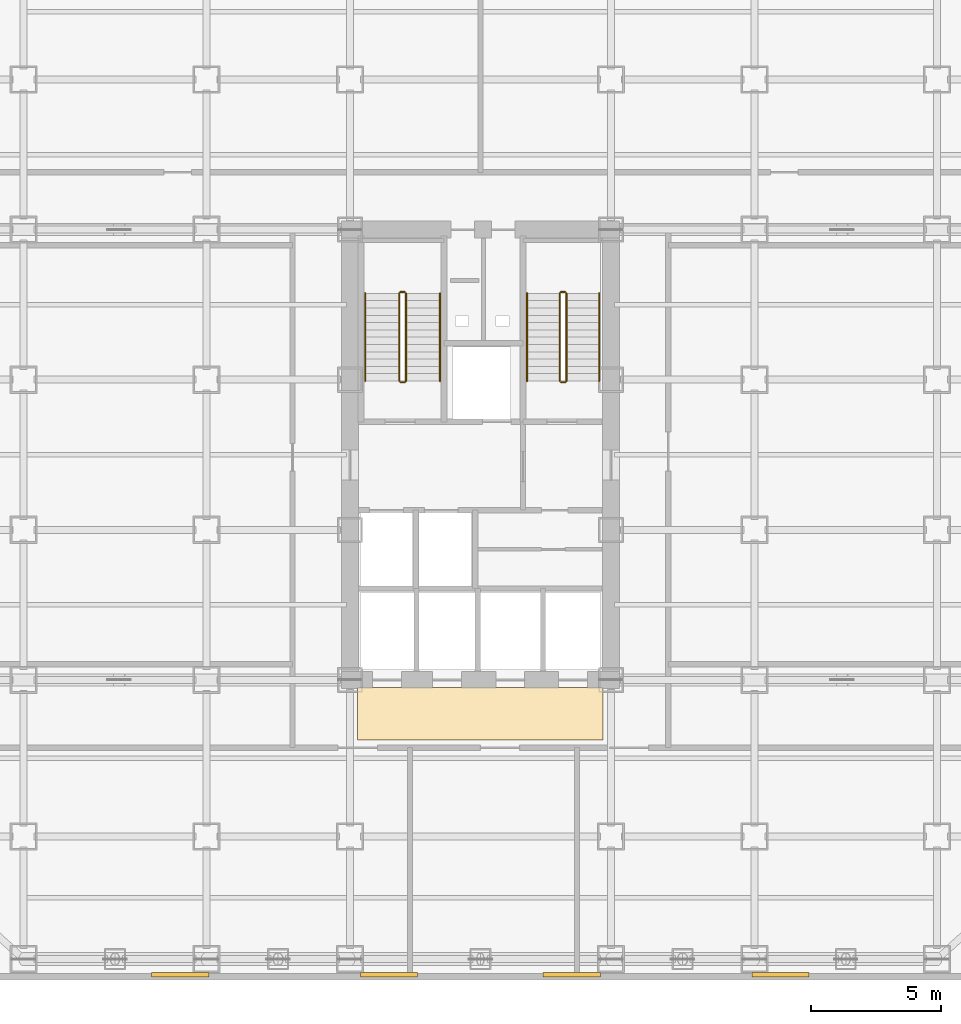
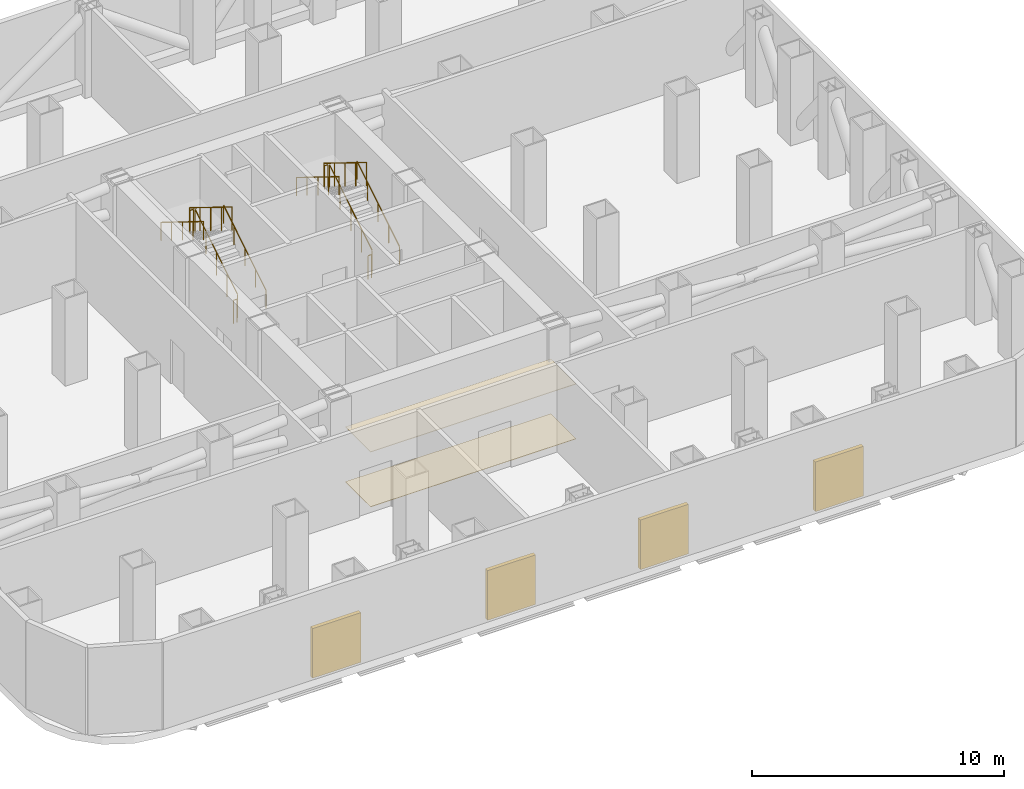
# One storey, part 10 of 10: 12 railings, 4 shading devices, 2 coverings.
"""IFC4 building model written with IfcOpenShell, lengths in metres."""

from ifc_helpers import new_model, si_unit, direction, frame, origin, origin_2d, place, context, subcontext, project, spatial, polyline, rectangle, circle, outline, extrude, source, transform, mapped, material, layer, layer_set, type_object, element, save


model = new_model("IFC4")

# Units and contexts
model_context = context("Model", 3, precision=1e-05, world=origin(), true_north=direction((0.0, 1.0)))
body_context = subcontext(model_context, "Body", "Model", "MODEL_VIEW")
ifc_project = project(units=[si_unit("LENGTHUNIT", "METRE"), si_unit("AREAUNIT", "SQUARE_METRE"), si_unit("VOLUMEUNIT", "CUBIC_METRE"), si_unit("PLANEANGLEUNIT", "RADIAN"), si_unit("MASSUNIT", "GRAM", prefix="KILO")], contexts=[model_context])

# Site, building, storey
site_placement = place(None, origin())
site = spatial("IfcSite", under=ifc_project, at=site_placement, CompositionType="ELEMENT")
building_placement = place(site_placement, origin())
building = spatial("IfcBuilding", under=site, at=building_placement, Name="Kolveth Station Tower", CompositionType="ELEMENT")
storey_placement = place(building_placement, frame((0.0, 0.0, 76.5)))
storey = spatial("IfcBuildingStorey", under=building, at=storey_placement, Name="L20", CompositionType="ELEMENT", Elevation=76.5)

# Coverings
ifc_material_1 = material(Name="Acoustic mineral-fibre ceiling tile")
ifc_layer_1 = layer(ifc_material_1, 0.02490234375)
ifc_layer_set_1 = layer_set([ifc_layer_1], Name="Acoustic mineral-fibre ceiling tile")
covering_type_1 = type_object("IfcCoveringType", Name="Ceil_CL1", PredefinedType="CEILING", material=ifc_layer_set_1)
covering_1_placement = place(storey_placement, frame((0.0, 0.0, 2.64990234375)))
element("IfcCovering", 1, at=covering_1_placement, inside=storey, type_object=covering_type_1, Name="L20 Lift Lobby Suspended Ceiling", PredefinedType="CEILING", context=body_context, shape_type="SweptSolid", body=[
    extrude(outline(polyline([(18.800048828125, 9.199951171875), (28.199951171875, 9.199951171875), (28.199951171875, 11.199951171875), (18.800048828125, 11.199951171875), (18.800048828125, 9.199951171875)])), origin(), (0.0, 0.0, 1.0), 0.025146484375),
])
ifc_material_2 = material(Name="Honed terrazzo flooring")
ifc_layer_2 = layer(ifc_material_2, 0.02001953125)
ifc_layer_set_2 = layer_set([ifc_layer_2], Name="Honed terrazzo flooring")
covering_type_2 = type_object("IfcCoveringType", Name="Floor_FL1", PredefinedType="FLOORING", material=ifc_layer_set_2)
covering_2_placement = place(storey_placement, origin())
element("IfcCovering", 2, at=covering_2_placement, inside=storey, type_object=covering_type_2, Name="L20 Lift Lobby Floor Finish", PredefinedType="FLOORING", context=body_context, shape_type="SweptSolid", body=[
    extrude(outline(polyline([(18.800048828125, 9.199951171875), (28.199951171875, 9.199951171875), (28.199951171875, 11.199951171875), (18.800048828125, 11.199951171875), (18.800048828125, 9.199951171875)])), origin(), (0.0, 0.0, 1.0), 0.02001953125),
])

# Railings
ifc_material_3 = material(Name="Painted Steel S355 balustrade", Category="steel")
railing_type_1 = type_object("IfcRailingType", Name="Guard_GR2", PredefinedType="BALUSTRADE", material=ifc_material_3)
railing_1_placement = place(storey_placement, frame((20.64990234375, 22.949951171875, 0.173095703125)))
element("IfcRailing", 3, at=railing_1_placement, inside=storey, type_object=railing_type_1, Name="L20 ST1 stair guard 1", PredefinedType="BALUSTRADE", context=body_context, shape_type="SweptSolid", body=[
    extrude(circle(Radius=0.02392578125, at=origin_2d()), frame((0.0, 0.0, 1.1259765625), z_axis=(0.0, 0.850623216509, 0.525775754039), x_axis=(-1.0, 0.0, 0.0)), (0.0, 0.0, 1.0), 3.9501953125),
    extrude(circle(Radius=0.02099609375, at=origin_2d()), origin(), (0.0, 0.0, 1.0), 1.101806640625),
    extrude(circle(Radius=0.02099609375, at=origin_2d()), frame((0.0, 0.840087890625, 0.519287109375)), (0.0, 0.0, 1.0), 1.101806640625),
    extrude(circle(Radius=0.02099609375, at=origin_2d()), frame((0.0, 1.68017578125, 1.03857421875)), (0.0, 0.0, 1.0), 1.101806640625),
    extrude(circle(Radius=0.02099609375, at=origin_2d()), frame((0.0, 2.52001953125, 1.5576171875)), (0.0, 0.0, 1.0), 1.101806640625),
    extrude(circle(Radius=0.02099609375, at=origin_2d()), frame((0.0, 3.360107421875, 2.076904296875)), (0.0, 0.0, 1.0), 1.101806640625),
])
railing_2_placement = place(storey_placement, frame((20.60009765625, 26.360107421875, 2.25)))
element("IfcRailing", 4, at=railing_2_placement, inside=storey, type_object=railing_type_1, Name="L20 ST1 stair guard 2", PredefinedType="BALUSTRADE", context=body_context, shape_type="SweptSolid", body=[
    extrude(circle(Radius=0.02392578125, at=origin_2d()), frame((0.0, 0.0, 1.1259765625), z_axis=(-1.0, 0.0, 0.0), x_axis=(0.0, -1.0, 0.0)), (0.0, 0.0, 1.0), 0.16015625),
    extrude(circle(Radius=0.02099609375, at=origin_2d()), origin(), (0.0, 0.0, 1.0), 1.101806640625),
    extrude(circle(Radius=0.02099609375, at=origin_2d()), frame((-0.16015625, 0.0, 0.0)), (0.0, 0.0, 1.0), 1.101806640625),
])
railing_3_placement = place(storey_placement, frame((20.389892578125, 26.31005859375, 2.423095703125)))
element("IfcRailing", 5, at=railing_3_placement, inside=storey, type_object=railing_type_1, Name="L20 ST1 stair guard 3", PredefinedType="BALUSTRADE", context=body_context, shape_type="SweptSolid", body=[
    extrude(circle(Radius=0.02392578125, at=origin_2d()), frame((0.0, 0.0, 1.1259765625), z_axis=(0.0, -0.850623216509, 0.525775754039), x_axis=(1.0, 0.0, 0.0)), (0.0, 0.0, 1.0), 3.9501953125),
    extrude(circle(Radius=0.02099609375, at=origin_2d()), origin(), (0.0, 0.0, 1.0), 1.101806640625),
    extrude(circle(Radius=0.02099609375, at=origin_2d()), frame((0.0, -0.840087890625, 0.519287109375)), (0.0, 0.0, 1.0), 1.101806640625),
    extrude(circle(Radius=0.02099609375, at=origin_2d()), frame((0.0, -1.68017578125, 1.03857421875)), (0.0, 0.0, 1.0), 1.101806640625),
    extrude(circle(Radius=0.02099609375, at=origin_2d()), frame((0.0, -2.52001953125, 1.5576171875)), (0.0, 0.0, 1.0), 1.101806640625),
    extrude(circle(Radius=0.02099609375, at=origin_2d()), frame((0.0, -3.360107421875, 2.076904296875)), (0.0, 0.0, 1.0), 1.101806640625),
])
railing_4_placement = place(storey_placement, frame((20.60009765625, 22.89990234375, 0.0)))
element("IfcRailing", 6, at=railing_4_placement, inside=storey, type_object=railing_type_1, Name="L20 ST1 stair guard 4", PredefinedType="BALUSTRADE", context=body_context, shape_type="SweptSolid", body=[
    extrude(circle(Radius=0.02392578125, at=origin_2d()), frame((0.0, 0.0, 1.1259765625), z_axis=(-1.0, 0.0, 0.0), x_axis=(0.0, -1.0, 0.0)), (0.0, 0.0, 1.0), 0.16015625),
    extrude(circle(Radius=0.02099609375, at=origin_2d()), origin(), (0.0, 0.0, 1.0), 1.101806640625),
    extrude(circle(Radius=0.02099609375, at=origin_2d()), frame((-0.16015625, 0.0, 0.0)), (0.0, 0.0, 1.0), 1.101806640625),
])
railing_5_placement = place(storey_placement, frame((26.800048828125, 22.949951171875, 0.173095703125)))
element("IfcRailing", 7, at=railing_5_placement, inside=storey, type_object=railing_type_1, Name="L20 ST2 stair guard 1", PredefinedType="BALUSTRADE", context=body_context, shape_type="SweptSolid", body=[
    extrude(circle(Radius=0.02392578125, at=origin_2d()), frame((0.0, 0.0, 1.1259765625), z_axis=(0.0, 0.850623216509, 0.525775754039), x_axis=(-1.0, 0.0, 0.0)), (0.0, 0.0, 1.0), 3.9501953125),
    extrude(circle(Radius=0.02099609375, at=origin_2d()), origin(), (0.0, 0.0, 1.0), 1.101806640625),
    extrude(circle(Radius=0.02099609375, at=origin_2d()), frame((0.0, 0.840087890625, 0.519287109375)), (0.0, 0.0, 1.0), 1.101806640625),
    extrude(circle(Radius=0.02099609375, at=origin_2d()), frame((0.0, 1.68017578125, 1.03857421875)), (0.0, 0.0, 1.0), 1.101806640625),
    extrude(circle(Radius=0.02099609375, at=origin_2d()), frame((0.0, 2.52001953125, 1.5576171875)), (0.0, 0.0, 1.0), 1.101806640625),
    extrude(circle(Radius=0.02099609375, at=origin_2d()), frame((0.0, 3.360107421875, 2.076904296875)), (0.0, 0.0, 1.0), 1.101806640625),
])
railing_6_placement = place(storey_placement, frame((26.75, 26.360107421875, 2.25)))
element("IfcRailing", 8, at=railing_6_placement, inside=storey, type_object=railing_type_1, Name="L20 ST2 stair guard 2", PredefinedType="BALUSTRADE", context=body_context, shape_type="SweptSolid", body=[
    extrude(circle(Radius=0.02392578125, at=origin_2d()), frame((0.0, 0.0, 1.1259765625), z_axis=(-1.0, 0.0, 0.0), x_axis=(0.0, -1.0, 0.0)), (0.0, 0.0, 1.0), 0.159912109375),
    extrude(circle(Radius=0.02099609375, at=origin_2d()), origin(), (0.0, 0.0, 1.0), 1.101806640625),
    extrude(circle(Radius=0.02099609375, at=origin_2d()), frame((-0.159912109375, 0.0, 0.0)), (0.0, 0.0, 1.0), 1.101806640625),
])
railing_7_placement = place(storey_placement, frame((26.5400390625, 26.31005859375, 2.423095703125)))
element("IfcRailing", 9, at=railing_7_placement, inside=storey, type_object=railing_type_1, Name="L20 ST2 stair guard 3", PredefinedType="BALUSTRADE", context=body_context, shape_type="SweptSolid", body=[
    extrude(circle(Radius=0.02392578125, at=origin_2d()), frame((0.0, 0.0, 1.1259765625), z_axis=(0.0, -0.850623216509, 0.525775754039), x_axis=(1.0, 0.0, 0.0)), (0.0, 0.0, 1.0), 3.9501953125),
    extrude(circle(Radius=0.02099609375, at=origin_2d()), origin(), (0.0, 0.0, 1.0), 1.101806640625),
    extrude(circle(Radius=0.02099609375, at=origin_2d()), frame((0.0, -0.840087890625, 0.519287109375)), (0.0, 0.0, 1.0), 1.101806640625),
    extrude(circle(Radius=0.02099609375, at=origin_2d()), frame((0.0, -1.68017578125, 1.03857421875)), (0.0, 0.0, 1.0), 1.101806640625),
    extrude(circle(Radius=0.02099609375, at=origin_2d()), frame((0.0, -2.52001953125, 1.5576171875)), (0.0, 0.0, 1.0), 1.101806640625),
    extrude(circle(Radius=0.02099609375, at=origin_2d()), frame((0.0, -3.360107421875, 2.076904296875)), (0.0, 0.0, 1.0), 1.101806640625),
])
railing_8_placement = place(storey_placement, frame((26.75, 22.89990234375, 0.0)))
element("IfcRailing", 10, at=railing_8_placement, inside=storey, type_object=railing_type_1, Name="L20 ST2 stair guard 4", PredefinedType="BALUSTRADE", context=body_context, shape_type="SweptSolid", body=[
    extrude(circle(Radius=0.02392578125, at=origin_2d()), frame((0.0, 0.0, 1.1259765625), z_axis=(-1.0, 0.0, 0.0), x_axis=(0.0, -1.0, 0.0)), (0.0, 0.0, 1.0), 0.159912109375),
    extrude(circle(Radius=0.02099609375, at=origin_2d()), origin(), (0.0, 0.0, 1.0), 1.101806640625),
    extrude(circle(Radius=0.02099609375, at=origin_2d()), frame((-0.159912109375, 0.0, 0.0)), (0.0, 0.0, 1.0), 1.101806640625),
])
ifc_material_4 = material(Name="Brushed stainless steel", Category="steel")
railing_type_2 = type_object("IfcRailingType", Name="Handrail_HR1", PredefinedType="HANDRAIL", material=ifc_material_4)
railing_9_placement = place(storey_placement, frame((21.949951171875, 22.949951171875, 0.173095703125)))
element("IfcRailing", 11, at=railing_9_placement, inside=storey, type_object=railing_type_2, Name="L20 ST1 stair handrail 1", PredefinedType="HANDRAIL", context=body_context, shape_type="SweptSolid", body=[
    extrude(circle(Radius=0.02392578125, at=origin_2d()), frame((0.0, 0.0, 0.8759765625), z_axis=(0.0, 0.850623216509, 0.525775754039), x_axis=(-1.0, 0.0, 0.0)), (0.0, 0.0, 1.0), 3.9501953125),
    extrude(circle(Radius=0.02099609375, at=origin_2d()), origin(), (0.0, 0.0, 1.0), 0.851806640625),
    extrude(circle(Radius=0.02099609375, at=origin_2d()), frame((0.0, 0.840087890625, 0.519287109375)), (0.0, 0.0, 1.0), 0.851806640625),
    extrude(circle(Radius=0.02099609375, at=origin_2d()), frame((0.0, 1.68017578125, 1.03857421875)), (0.0, 0.0, 1.0), 0.851806640625),
    extrude(circle(Radius=0.02099609375, at=origin_2d()), frame((0.0, 2.52001953125, 1.5576171875)), (0.0, 0.0, 1.0), 0.851806640625),
    extrude(circle(Radius=0.02099609375, at=origin_2d()), frame((0.0, 3.360107421875, 2.076904296875)), (0.0, 0.0, 1.0), 0.851806640625),
])
railing_10_placement = place(storey_placement, frame((19.090087890625, 26.31005859375, 2.423095703125)))
element("IfcRailing", 12, at=railing_10_placement, inside=storey, type_object=railing_type_2, Name="L20 ST1 stair handrail 2", PredefinedType="HANDRAIL", context=body_context, shape_type="SweptSolid", body=[
    extrude(circle(Radius=0.02392578125, at=origin_2d()), frame((0.0, 0.0, 0.8759765625), z_axis=(0.0, -0.850623216509, 0.525775754039), x_axis=(1.0, 0.0, 0.0)), (0.0, 0.0, 1.0), 3.9501953125),
    extrude(circle(Radius=0.02099609375, at=origin_2d()), origin(), (0.0, 0.0, 1.0), 0.851806640625),
    extrude(circle(Radius=0.02099609375, at=origin_2d()), frame((0.0, -0.840087890625, 0.519287109375)), (0.0, 0.0, 1.0), 0.851806640625),
    extrude(circle(Radius=0.02099609375, at=origin_2d()), frame((0.0, -1.68017578125, 1.03857421875)), (0.0, 0.0, 1.0), 0.851806640625),
    extrude(circle(Radius=0.02099609375, at=origin_2d()), frame((0.0, -2.52001953125, 1.5576171875)), (0.0, 0.0, 1.0), 0.851806640625),
    extrude(circle(Radius=0.02099609375, at=origin_2d()), frame((0.0, -3.360107421875, 2.076904296875)), (0.0, 0.0, 1.0), 0.851806640625),
])
railing_11_placement = place(storey_placement, frame((28.050048828125, 22.949951171875, 0.173095703125)))
element("IfcRailing", 13, at=railing_11_placement, inside=storey, type_object=railing_type_2, Name="L20 ST2 stair handrail 1", PredefinedType="HANDRAIL", context=body_context, shape_type="SweptSolid", body=[
    extrude(circle(Radius=0.02392578125, at=origin_2d()), frame((0.0, 0.0, 0.8759765625), z_axis=(0.0, 0.850623216509, 0.525775754039), x_axis=(-1.0, 0.0, 0.0)), (0.0, 0.0, 1.0), 3.9501953125),
    extrude(circle(Radius=0.02099609375, at=origin_2d()), origin(), (0.0, 0.0, 1.0), 0.851806640625),
    extrude(circle(Radius=0.02099609375, at=origin_2d()), frame((0.0, 0.840087890625, 0.519287109375)), (0.0, 0.0, 1.0), 0.851806640625),
    extrude(circle(Radius=0.02099609375, at=origin_2d()), frame((0.0, 1.68017578125, 1.03857421875)), (0.0, 0.0, 1.0), 0.851806640625),
    extrude(circle(Radius=0.02099609375, at=origin_2d()), frame((0.0, 2.52001953125, 1.5576171875)), (0.0, 0.0, 1.0), 0.851806640625),
    extrude(circle(Radius=0.02099609375, at=origin_2d()), frame((0.0, 3.360107421875, 2.076904296875)), (0.0, 0.0, 1.0), 0.851806640625),
])
railing_12_placement = place(storey_placement, frame((25.2900390625, 26.31005859375, 2.423095703125)))
element("IfcRailing", 14, at=railing_12_placement, inside=storey, type_object=railing_type_2, Name="L20 ST2 stair handrail 2", PredefinedType="HANDRAIL", context=body_context, shape_type="SweptSolid", body=[
    extrude(circle(Radius=0.02392578125, at=origin_2d()), frame((0.0, 0.0, 0.8759765625), z_axis=(0.0, -0.850623216509, 0.525775754039), x_axis=(1.0, 0.0, 0.0)), (0.0, 0.0, 1.0), 3.9501953125),
    extrude(circle(Radius=0.02099609375, at=origin_2d()), origin(), (0.0, 0.0, 1.0), 0.851806640625),
    extrude(circle(Radius=0.02099609375, at=origin_2d()), frame((0.0, -0.840087890625, 0.519287109375)), (0.0, 0.0, 1.0), 0.851806640625),
    extrude(circle(Radius=0.02099609375, at=origin_2d()), frame((0.0, -1.68017578125, 1.03857421875)), (0.0, 0.0, 1.0), 0.851806640625),
    extrude(circle(Radius=0.02099609375, at=origin_2d()), frame((0.0, -2.52001953125, 1.5576171875)), (0.0, 0.0, 1.0), 0.851806640625),
    extrude(circle(Radius=0.02099609375, at=origin_2d()), frame((0.0, -3.360107421875, 2.076904296875)), (0.0, 0.0, 1.0), 0.851806640625),
])

# Shading devices
ifc_material_5 = material(Name="Black anodized aluminium 6063-T6", Category="aluminium")
shading_device_type = type_object("IfcShadingDeviceType", Name="Louvre_LV1", PredefinedType="JALOUSIE", material=ifc_material_5)
shared_shape = source(origin(), body_context, "Body", "SweptSolid", [
    extrude(rectangle(XDim=2.199951171875, YDim=0.179931640625, at=origin_2d()), origin(), (0.0, 0.0, 1.0), 2.39990234375),
])
for number, where, z_axis, x_axis, name in (
    (15, (12.0, 0.199951171875, 0.0), (0.0, 0.0, 1.0), (1.0, 0.0, 0.0), "L20 Mechanical Plant Acoustic Louvre S1"),
    (16, (20.0, 0.199951171875, 0.0), (0.0, 0.0, 1.0), (1.0, 0.0, 0.0), "L20 Mechanical Plant Acoustic Louvre S2"),
    (17, (27.0, 0.199951171875, 0.0), (0.0, 0.0, 1.0), (1.0, 0.0, 0.0), "L20 Mechanical Plant Acoustic Louvre S3"),
    (18, (35.0, 0.199951171875, 0.0), (0.0, 0.0, 1.0), (1.0, 0.0, 0.0), "L20 Mechanical Plant Acoustic Louvre S4"),
):
    element("IfcShadingDevice", number, at=place(storey_placement, frame(where, z_axis=z_axis, x_axis=x_axis)), inside=storey, type_object=shading_device_type, Name=name, PredefinedType="JALOUSIE", context=body_context, shape_type="MappedRepresentation", body=[
        mapped(shared_shape, transform((0.0, 0.0, 0.0), x_axis=(1.0, 0.0, 0.0), y_axis=(0.0, 1.0, 0.0), z_axis=(0.0, 0.0, 1.0), scale=1.0)),
    ])

save(model, "model.ifc")
